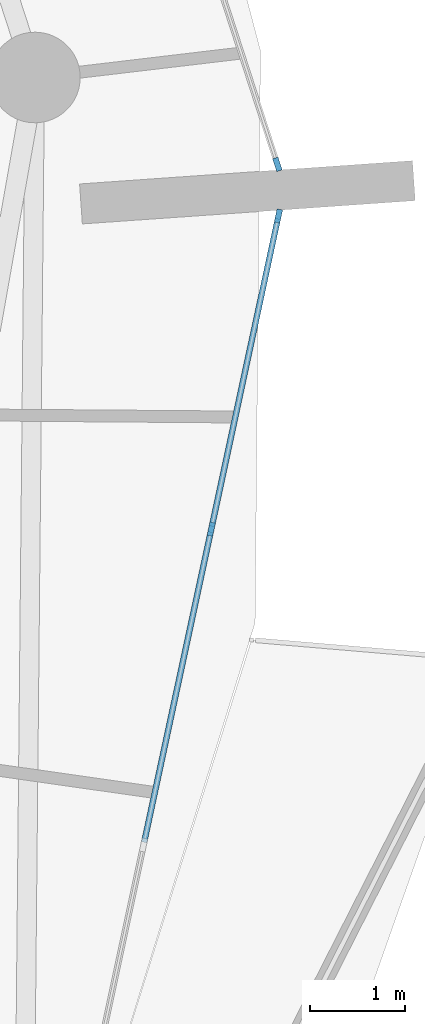
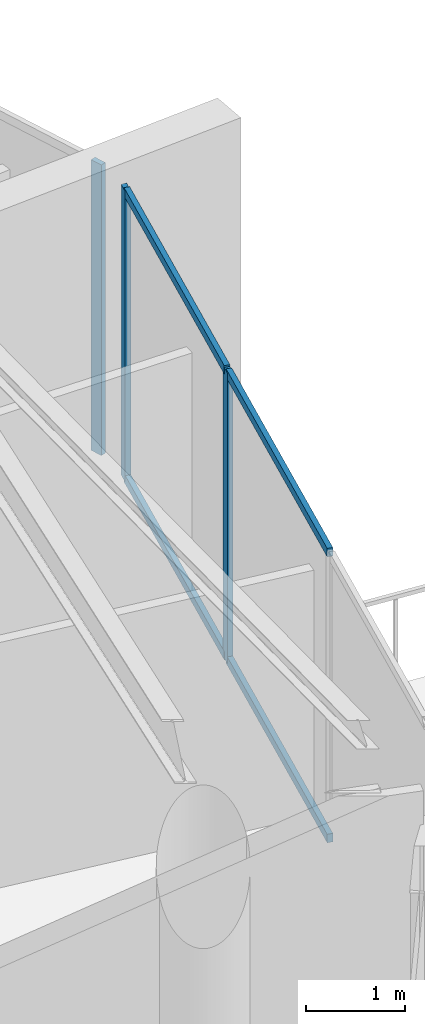
# One storey, part 12 of 31: 7 members, 2 elements without a shape of their own.
"""IFC4 building model written with IfcOpenShell, lengths in metres."""

from ifc_helpers import new_model, si_unit, direction, frame, origin, origin_2d, place, context, subcontext, project, spatial, rectangle, extrude, material, layer, layer_set, material_profile, profile_set, type_object, element, aggregate, save


model = new_model("IFC4")

# Units and contexts
model_context = context("Model", 3, precision=1e-05, world=origin(), true_north=direction((0.0, 1.0)))
body_context = subcontext(model_context, "Body", "Model", "MODEL_VIEW")
ifc_project = project(units=[si_unit("LENGTHUNIT", "METRE"), si_unit("AREAUNIT", "SQUARE_METRE"), si_unit("VOLUMEUNIT", "CUBIC_METRE"), si_unit("PLANEANGLEUNIT", "RADIAN"), si_unit("MASSUNIT", "GRAM", prefix="KILO")], contexts=[model_context])

# Site, building, storey
site_placement = place(None, origin())
site = spatial("IfcSite", under=ifc_project, at=site_placement, CompositionType="ELEMENT")
building_placement = place(site_placement, origin())
building = spatial("IfcBuilding", under=site, at=building_placement, Name="Kazma Halo Residences", CompositionType="ELEMENT")
storey_placement = place(building_placement, frame((0.0, 0.0, 271.35009765625)))
storey = spatial("IfcBuildingStorey", under=building, at=storey_placement, Name="L68", CompositionType="ELEMENT", Elevation=271.35009765625)

# Curtain wall, members
ifc_material_1 = material(Name="Aluminium AW-6063 T6 and Triple-Silver Low-E Glass", Category="aluminium")
ifc_layer = layer(ifc_material_1, 0.139892578125)
ifc_layer_set = layer_set([ifc_layer], Name="Aluminium AW-6063 T6 and Triple-Silver Low-E Glass")
curtain_wall_type = type_object("IfcCurtainWallType", Name="CW-SYS-5", PredefinedType="NOTDEFINED", material=ifc_layer_set)
curtain_wall_1_placement = place(storey_placement, origin())
curtain_wall_1 = element("IfcCurtainWall", 1, at=curtain_wall_1_placement, inside=storey, type_object=curtain_wall_type, Name="L68 unitised curtain wall B15", PredefinedType="NOTDEFINED")
ifc_material_2 = material(Name="Aluminium AW-6063 T6", Category="aluminium")
ifc_material_profile_1 = material_profile(ifc_material_2, rectangle(XDim=0.06005859375, YDim=0.139892578125, at=origin_2d()), Name="CWM-60x140")
ifc_profile_set_1 = profile_set([ifc_material_profile_1], Name="Aluminium AW-6063 T6")
member_type_1 = type_object("IfcMemberType", Name="CW-SYS-5-MUL", PredefinedType="MULLION", material=ifc_profile_set_1)
member_1_placement = place(storey_placement, frame((77.9296875, 40.587158203125, 0.0), z_axis=(0.0, 0.0, 1.0), x_axis=(-0.97777491373, 0.209657382603, 0.0)))
member_1 = element("IfcMember", 2, at=member_1_placement, type_object=member_type_1, Name="CWS-5 mullion 3", PredefinedType="MULLION", context=body_context, shape_type="SweptSolid", body=[
    extrude(rectangle(XDim=0.06005859375, YDim=0.139892578125, at=origin_2d()), origin(), (0.0, 0.0, 1.0), 3.58984375),
])
member_2_placement = place(storey_placement, frame((78.6337890625, 43.87158203125, 0.0), z_axis=(0.0, 0.0, 1.0), x_axis=(-0.97777491373, 0.209657382603, 0.0)))
member_2 = element("IfcMember", 3, at=member_2_placement, type_object=member_type_1, Name="CWS-5 mullion 4", PredefinedType="MULLION", context=body_context, shape_type="SweptSolid", body=[
    extrude(rectangle(XDim=0.06005859375, YDim=0.139892578125, at=origin_2d()), origin(), (0.0, 0.0, 1.0), 3.58984375),
])

# Curtain wall, member
curtain_wall_2_placement = place(storey_placement, origin())
curtain_wall_2 = element("IfcCurtainWall", 4, at=curtain_wall_2_placement, inside=storey, type_object=curtain_wall_type, Name="L68 unitised curtain wall B16", PredefinedType="NOTDEFINED")
member_3_placement = place(storey_placement, frame((78.622802734375, 44.412353515625, 0.0), z_axis=(0.0, 0.0, 1.0), x_axis=(-0.951058464359, -0.309010998786, 0.0)))
member_3 = element("IfcMember", 5, at=member_3_placement, type_object=member_type_1, Name="CWS-5 mullion 1", PredefinedType="MULLION", context=body_context, shape_type="SweptSolid", body=[
    extrude(rectangle(XDim=0.06005859375, YDim=0.139892578125, at=origin_2d()), origin(), (0.0, 0.0, 1.0), 3.58984375),
])
aggregate(curtain_wall_2, [member_3])

# Member
ifc_material_profile_2 = material_profile(ifc_material_2, rectangle(XDim=0.06005859375, YDim=0.10498046875, at=origin_2d()), Name="CWT-60x105")
ifc_profile_set_2 = profile_set([ifc_material_profile_2], Name="Aluminium AW-6063 T6")
member_type_2 = type_object("IfcMemberType", Name="CW-SYS-5-TRN", PredefinedType="USERDEFINED", material=ifc_profile_set_2)
member_4_placement = place(storey_placement, frame((77.225341796875, 37.302734375, 0.02978515625), z_axis=(0.209664309019, 0.977773428522, 0.0), x_axis=(-0.977773428522, 0.209664309019, 0.0)))
member_4 = element("IfcMember", 6, at=member_4_placement, type_object=member_type_2, Name="CWS-5 transom 2.1", ObjectType="TRANSOM", PredefinedType="USERDEFINED", context=body_context, shape_type="SweptSolid", body=[
    extrude(rectangle(XDim=0.06005859375, YDim=0.10498046875, at=origin_2d()), origin(), (0.0, 0.0, 1.0), 3.3291015625),
])

member_5_placement = place(storey_placement, frame((77.225341796875, 37.302734375, 3.559814453125), z_axis=(0.209664309019, 0.977773428522, 0.0), x_axis=(-0.977773428522, 0.209664309019, 0.0)))
member_5 = element("IfcMember", 7, at=member_5_placement, type_object=member_type_2, Name="CWS-5 transom 2.2", ObjectType="TRANSOM", PredefinedType="USERDEFINED", context=body_context, shape_type="SweptSolid", body=[
    extrude(rectangle(XDim=0.06005859375, YDim=0.10498046875, at=origin_2d()), origin(), (0.0, 0.0, 1.0), 3.3291015625),
])

member_6_placement = place(storey_placement, frame((77.935791015625, 40.616455078125, 0.02978515625), z_axis=(0.209645323239, 0.977777499457, 0.0), x_axis=(-0.977777499457, 0.209645323239, 0.0)))
member_6 = element("IfcMember", 8, at=member_6_placement, type_object=member_type_2, Name="CWS-5 transom 3.1", ObjectType="TRANSOM", PredefinedType="USERDEFINED", context=body_context, shape_type="SweptSolid", body=[
    extrude(rectangle(XDim=0.06005859375, YDim=0.10498046875, at=origin_2d()), origin(), (0.0, 0.0, 1.0), 3.299072265625),
])

member_7_placement = place(storey_placement, frame((77.935791015625, 40.616455078125, 3.559814453125), z_axis=(0.209645323239, 0.977777499457, 0.0), x_axis=(-0.977777499457, 0.209645323239, 0.0)))
member_7 = element("IfcMember", 9, at=member_7_placement, type_object=member_type_2, Name="CWS-5 transom 3.2", ObjectType="TRANSOM", PredefinedType="USERDEFINED", context=body_context, shape_type="SweptSolid", body=[
    extrude(rectangle(XDim=0.06005859375, YDim=0.10498046875, at=origin_2d()), origin(), (0.0, 0.0, 1.0), 3.299072265625),
])

aggregate(curtain_wall_1, [member_1, member_2, member_4, member_5, member_6, member_7])

save(model, "model.ifc")
